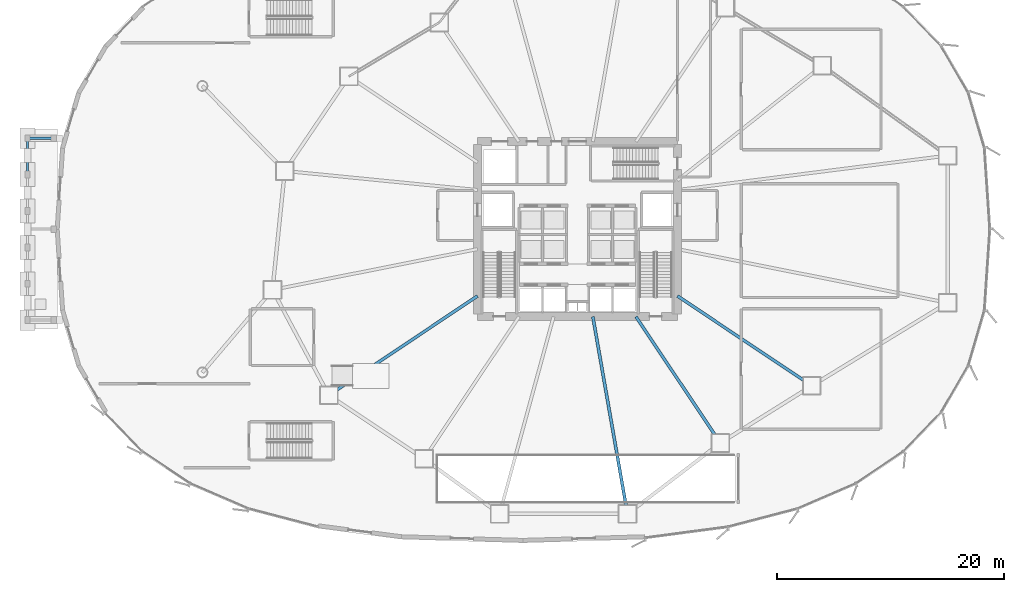
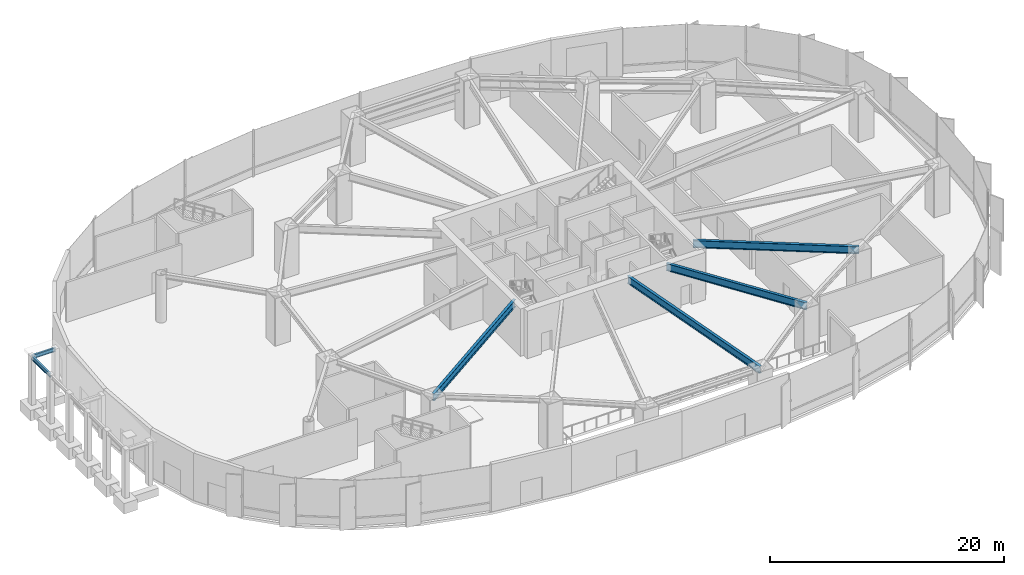
# One storey, part 6 of 35: 6 beams.
"""IFC4 building model written with IfcOpenShell, lengths in metres."""

from ifc_helpers import new_model, si_unit, direction, frame, origin, origin_2d, place, context, subcontext, project, spatial, i_section, extrude, source, transform, mapped, material, material_profile, profile_set, type_object, element, save


model = new_model("IFC4")

# Units and contexts
model_context = context("Model", 3, precision=1e-05, world=origin(), true_north=direction((0.0, 1.0)))
body_context = subcontext(model_context, "Body", "Model", "MODEL_VIEW")
ifc_project = project(units=[si_unit("LENGTHUNIT", "METRE"), si_unit("AREAUNIT", "SQUARE_METRE"), si_unit("VOLUMEUNIT", "CUBIC_METRE"), si_unit("PLANEANGLEUNIT", "RADIAN"), si_unit("MASSUNIT", "GRAM", prefix="KILO"), si_unit("THERMODYNAMICTEMPERATUREUNIT", "KELVIN")], contexts=[model_context])

# Site, building, storey
site_placement = place(None, origin())
site = spatial("IfcSite", under=ifc_project, at=site_placement, CompositionType="ELEMENT")
building_placement = place(site_placement, origin())
building = spatial("IfcBuilding", under=site, at=building_placement, Name="Kethvar Cultural Tower", CompositionType="ELEMENT")
storey_placement = place(building_placement, origin())
storey = spatial("IfcBuildingStorey", under=building, at=storey_placement, Name="L00", CompositionType="ELEMENT", Elevation=0.0)

# Beams
ifc_material = material(Name="Steel S355J2", Category="steel")
ifc_material_profile_1 = material_profile(ifc_material, i_section(OverallWidth=0.179931640625, OverallDepth=0.39990234375, WebThickness=0.008544921875, FlangeThickness=0.013427734375, FilletRadius=0.02099609375, at=origin_2d()), Name="Steel S355J2 — IPE400")
ifc_profile_set_1 = profile_set([ifc_material_profile_1], Name="Steel S355J2 — IPE400")
beam_type_1 = type_object("IfcBeamType", Name="BM-CAN400", PredefinedType="BEAM", material=ifc_profile_set_1)
shared_shape_1 = source(origin(), body_context, "Body", "SweptSolid", [
    extrude(i_section(OverallWidth=0.179931640625, OverallDepth=0.39990234375, WebThickness=0.008544921875, FlangeThickness=0.013427734375, FilletRadius=0.02099609375, at=origin_2d()), origin(), (0.0, 0.0, 1.0), 2.320068359375),
])
beam_1_placement = place(storey_placement, frame((-1.60009765625, 35.800048828125, 4.340087890625), z_axis=(1.0, 0.0, 0.0), x_axis=(0.0, 1.0, 0.0)))
element("IfcBeam", 1, at=beam_1_placement, inside=storey, type_object=beam_type_1, Name="West Entrance Canopy Cross Beam CT-03", PredefinedType="BEAM", context=body_context, shape_type="MappedRepresentation", body=[
    mapped(shared_shape_1, transform((0.0, 0.0, 0.0), scale=1.0)),
])
shared_shape_2 = source(origin(), body_context, "Body", "SweptSolid", [
    extrude(i_section(OverallWidth=0.179931640625, OverallDepth=0.39990234375, WebThickness=0.008544921875, FlangeThickness=0.013427734375, FilletRadius=0.02099609375, at=origin_2d()), origin(), (0.0, 0.0, 1.0), 3.199951171875),
])
beam_2_placement = place(storey_placement, frame((-1.60009765625, 32.60009765625, 4.340087890625), z_axis=(0.0, 1.0, 0.0), x_axis=(-1.0, 0.0, 0.0)))
element("IfcBeam", 2, at=beam_2_placement, inside=storey, type_object=beam_type_1, Name="West Entrance Canopy Edge Beam CB-05", PredefinedType="BEAM", context=body_context, shape_type="MappedRepresentation", body=[
    mapped(shared_shape_2, transform((0.0, 0.0, 0.0), scale=1.0)),
])
ifc_material_profile_2 = material_profile(ifc_material, i_section(OverallWidth=0.26708984375, OverallDepth=0.761962890625, WebThickness=0.014404296875, FlangeThickness=0.021484375, FilletRadius=0.01708984375, at=origin_2d()), Name="Steel S355J2 — IPE750x173")
ifc_profile_set_2 = profile_set([ifc_material_profile_2], Name="Steel S355J2 — IPE750x173")
beam_type_2 = type_object("IfcBeamType", Name="BM-IPE750", PredefinedType="BEAM", material=ifc_profile_set_2)
shared_shape_3 = source(origin(), body_context, "Body", "SweptSolid", [
    extrude(i_section(OverallWidth=0.26708984375, OverallDepth=0.761962890625, WebThickness=0.014404296875, FlangeThickness=0.021484375, FilletRadius=0.01708984375, at=origin_2d()), origin(), (0.0, 0.0, 1.0), 17.61572265625),
])
beam_3_placement = place(storey_placement, frame((48.152587890625, 20.10009765625, 4.56689453125), z_axis=(0.172991485085, -0.984923319903, 0.0), x_axis=(0.984923319903, 0.172991485085, 0.0)))
element("IfcBeam", 3, at=beam_3_placement, inside=storey, type_object=beam_type_2, Name="L00 Podium Radial Girder 13", PredefinedType="BEAM", context=body_context, shape_type="MappedRepresentation", body=[
    mapped(shared_shape_3, transform((0.0, 0.0, 0.0), scale=1.0)),
])
shared_shape_4 = source(origin(), body_context, "Body", "SweptSolid", [
    extrude(i_section(OverallWidth=0.26708984375, OverallDepth=0.761962890625, WebThickness=0.014404296875, FlangeThickness=0.021484375, FilletRadius=0.01708984375, at=origin_2d()), origin(), (0.0, 0.0, 1.0), 15.725341796875),
])
beam_4_placement = place(storey_placement, frame((38.0, 21.919921875, 4.56689453125), z_axis=(-0.831469433959, -0.555570499929, 0.0), x_axis=(0.555570499929, -0.831469433959, 0.0)))
element("IfcBeam", 4, at=beam_4_placement, inside=storey, type_object=beam_type_2, Name="L00 Podium Radial Girder 10", PredefinedType="BEAM", context=body_context, shape_type="MappedRepresentation", body=[
    mapped(shared_shape_4, transform((0.0, 0.0, 0.0), scale=1.0)),
])
shared_shape_5 = source(origin(), body_context, "Body", "SweptSolid", [
    extrude(i_section(OverallWidth=0.26708984375, OverallDepth=0.761962890625, WebThickness=0.014404296875, FlangeThickness=0.021484375, FilletRadius=0.01708984375, at=origin_2d()), origin(), (0.0, 0.0, 1.0), 13.365478515625),
])
beam_5_placement = place(storey_placement, frame((51.945068359375, 20.10009765625, 4.56689453125), z_axis=(0.555559834465, -0.831476560301, 0.0), x_axis=(0.831476560301, 0.555559834465, 0.0)))
element("IfcBeam", 5, at=beam_5_placement, inside=storey, type_object=beam_type_2, Name="L00 Podium Radial Girder 14", PredefinedType="BEAM", context=body_context, shape_type="MappedRepresentation", body=[
    mapped(shared_shape_5, transform((0.0, 0.0, 0.0), scale=1.0)),
])
shared_shape_6 = source(origin(), body_context, "Body", "SweptSolid", [
    extrude(i_section(OverallWidth=0.26708984375, OverallDepth=0.761962890625, WebThickness=0.014404296875, FlangeThickness=0.021484375, FilletRadius=0.01708984375, at=origin_2d()), origin(), (0.0, 0.0, 1.0), 14.2138671875),
])
beam_6_placement = place(storey_placement, frame((55.60009765625, 21.920166015625, 4.56689453125), z_axis=(0.831463197362, -0.555579833537, 0.0), x_axis=(0.555579833537, 0.831463197362, 0.0)))
element("IfcBeam", 6, at=beam_6_placement, inside=storey, type_object=beam_type_2, Name="L00 Podium Radial Girder 15", PredefinedType="BEAM", context=body_context, shape_type="MappedRepresentation", body=[
    mapped(shared_shape_6, transform((0.0, 0.0, 0.0), scale=1.0)),
])

save(model, "model.ifc")
